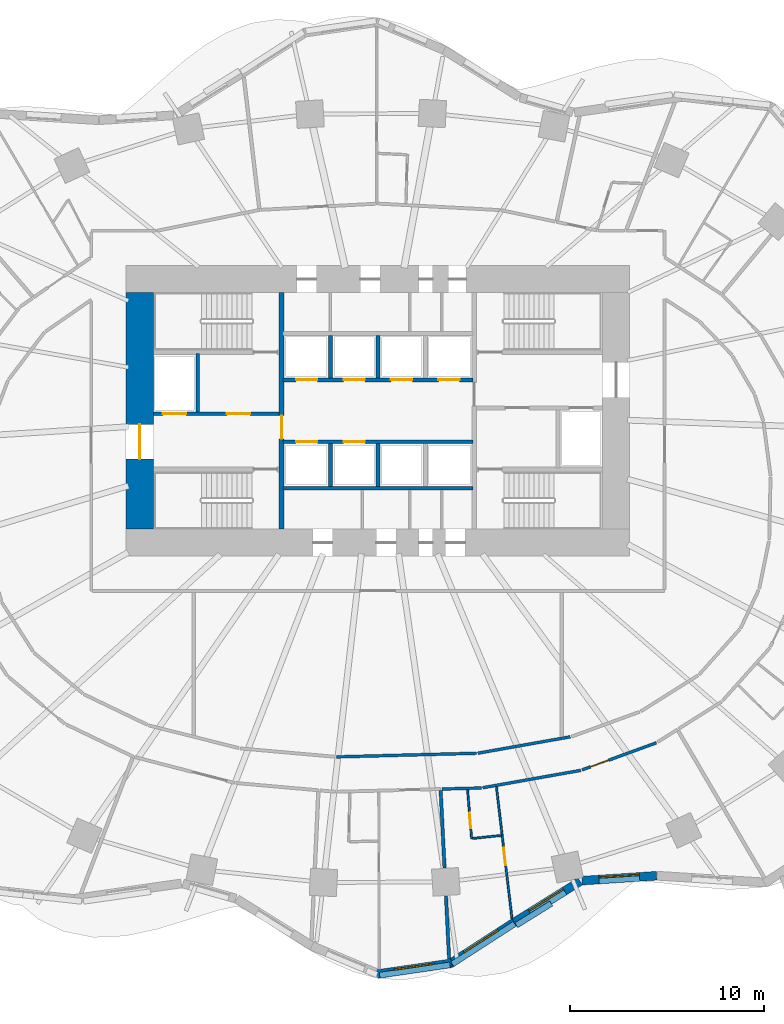
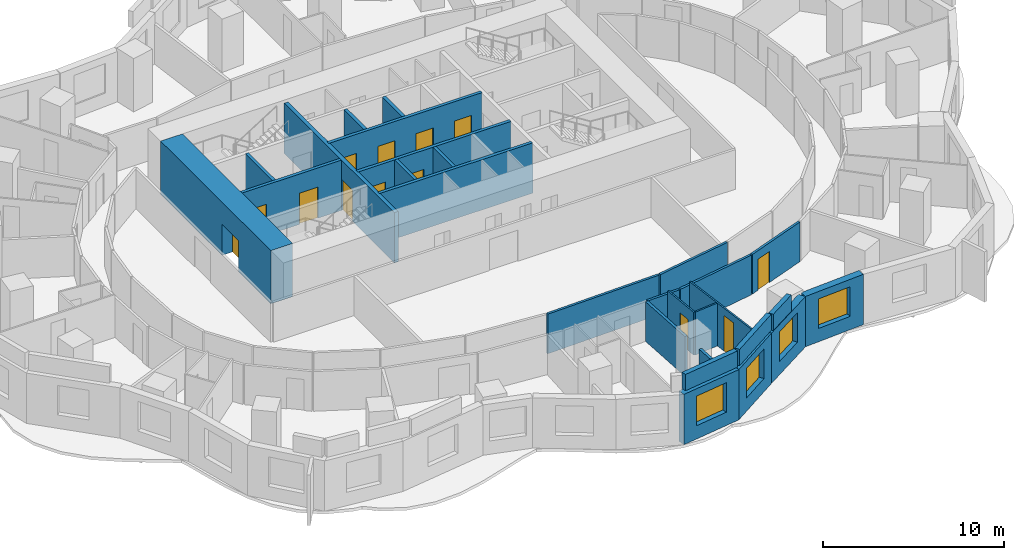
# One storey, part 5 of 11: 28 walls, 13 doors, 4 windows, 17 openings.
"""IFC4 building model written with IfcOpenShell, lengths in metres."""

from ifc_helpers import new_model, si_unit, direction, frame, frame_2d, origin, place, context, subcontext, project, spatial, rectangle, extrude, material, layer, layer_set, type_object, element, fill, save


model = new_model("IFC4")

# Units and contexts
model_context = context("Model", 3, precision=1e-05, world=origin(), true_north=direction((0.0, 1.0)))
body_context = subcontext(model_context, "Body", "Model", "MODEL_VIEW")
ifc_project = project(units=[si_unit("LENGTHUNIT", "METRE"), si_unit("AREAUNIT", "SQUARE_METRE"), si_unit("VOLUMEUNIT", "CUBIC_METRE"), si_unit("PLANEANGLEUNIT", "RADIAN"), si_unit("MASSUNIT", "GRAM", prefix="KILO")], contexts=[model_context])

# Site, building, storey
site_placement = place(None, origin())
site = spatial("IfcSite", under=ifc_project, at=site_placement, CompositionType="ELEMENT")
building_placement = place(site_placement, origin())
building = spatial("IfcBuilding", under=site, at=building_placement, Name="Rubra Terraces Tower", CompositionType="ELEMENT")
storey_placement = place(building_placement, frame((0.0, 0.0, 59.10009765625)))
storey = spatial("IfcBuildingStorey", under=building, at=storey_placement, Name="L12", CompositionType="ELEMENT", Elevation=59.10009765625)

# Walls
ifc_material_1 = material(Name="Twin plasterboard on staggered steel stud, acoustic mineral wool", Category="steel")
ifc_layer_1 = layer(ifc_material_1, 0.175048828125)
ifc_layer_set_1 = layer_set([ifc_layer_1], Name="Twin plasterboard on staggered steel stud, acoustic mineral wool")
wall_type_1 = type_object("IfcWallType", Name="ACOUSTIC PARTY WALL 175", PredefinedType="PARTITIONING", material=ifc_layer_set_1)
wall_1_placement = place(storey_placement, frame((3.67822265625, -23.810302734375, 0.0), z_axis=(0.0, 0.0, 1.0), x_axis=(-0.050406902628, 0.998728764063, 0.0)))
element("IfcWall", 1, at=wall_1_placement, inside=storey, type_object=wall_type_1, Name="PARTITION", PredefinedType="PARTITIONING", context=body_context, shape_type="SweptSolid", body=[
    extrude(rectangle(XDim=3.269287109375, YDim=0.175048828125, at=frame_2d((1.634765625, 0.0))), origin(), (0.0, 0.0, 1.0), 2.679931640625),
])
wall_2_placement = place(storey_placement, frame((3.44091796875, -19.10693359375, 0.0), z_axis=(0.0, 0.0, 1.0), x_axis=(-0.050399621173, 0.998729131539, 0.0)))
element("IfcWall", 2, at=wall_2_placement, inside=storey, type_object=wall_type_1, Name="PARTITION", PredefinedType="PARTITIONING", context=body_context, shape_type="SweptSolid", body=[
    extrude(rectangle(XDim=4.006103515625, YDim=0.175048828125, at=frame_2d((2.0029296875, 0.0))), origin(), (0.0, 0.0, 1.0), 2.679931640625),
])

# Wall, opening, window
ifc_material_2 = material(Name="Brick masonry red-brown", Category="masonry")
ifc_layer_2 = layer(ifc_material_2, 0.449951171875)
ifc_layer_set_2 = layer_set([ifc_layer_2], Name="Brick masonry red-brown")
wall_type_2 = type_object("IfcWallType", Name="Brick facade wall 450", PredefinedType="SOLIDWALL", material=ifc_layer_set_2)
wall_3_placement = place(storey_placement, frame((-0.032470703125, -24.58447265625, 0.0), z_axis=(0.0, 0.0, 1.0), x_axis=(0.989495330387, 0.144564833698, 0.0)))
wall_3 = element("IfcWall", 3, at=wall_3_placement, inside=storey, type_object=wall_type_2, Name="Facade wall L12 bay 31", PredefinedType="SOLIDWALL", context=body_context, shape_type="SweptSolid", body=[
    extrude(rectangle(XDim=3.880859375, YDim=0.449951171875, at=frame_2d((1.9404296875, 0.0))), origin(), (0.0, 0.0, 1.0), 3.39990234375),
])
opening_1_placement = place(wall_3_placement, frame((0.890380859375, 0.0, 0.89990234375)))
opening_1 = element("IfcOpeningElement", 4, at=opening_1_placement, cuts=wall_3, Name="Opening W1", PredefinedType="OPENING", context=body_context, shape_type="SweptSolid", body=[
    extrude(rectangle(XDim=2.10009765625, YDim=2.0, at=frame_2d((1.050048828125, 1.0))), frame((0.0, 0.23486328125, 0.0), z_axis=(0.0, -1.0, 0.0), x_axis=(1.0, 0.0, 0.0)), (0.0, 0.0, 1.0), 0.469970703125),
])
ifc_material_3 = material(Name="Clear glass in aluminium frame", Category="aluminium")
window_type = type_object("IfcWindowType", Name="Fixed deep-set window 2100 x 2000", PartitioningType="SINGLE_PANEL", PredefinedType="WINDOW", material=ifc_material_3)
window_1_placement = place(opening_1_placement, origin())
window_1 = element("IfcWindow", 5, at=window_1_placement, inside=storey, type_object=window_type, Name="Window L12 bay 31", OverallHeight=2.0, OverallWidth=2.10009765625, PartitioningType="SINGLE_PANEL", PredefinedType="WINDOW", context=body_context, shape_type="SweptSolid", body=[
    extrude(rectangle(XDim=2.10009765625, YDim=2.0, at=frame_2d((1.050048828125, 1.0))), frame((0.0, 0.135009765625, 0.0), z_axis=(0.0, -1.0, 0.0), x_axis=(1.0, 0.0, 0.0)), (0.0, 0.0, 1.0), 0.06005859375),
])
fill(opening_1, window_1)

wall_4_placement = place(storey_placement, frame((3.720703125, -24.055419921875, 0.0), z_axis=(0.0, 0.0, 1.0), x_axis=(0.840404438766, 0.54195975801, 0.0)))
wall_4 = element("IfcWall", 6, at=wall_4_placement, inside=storey, type_object=wall_type_2, Name="Facade wall L12 bay 32", PredefinedType="SOLIDWALL", context=body_context, shape_type="SweptSolid", body=[
    extrude(rectangle(XDim=3.960205078125, YDim=0.449951171875, at=frame_2d((1.97998046875, 0.0))), origin(), (0.0, 0.0, 1.0), 3.39990234375),
])
opening_2_placement = place(wall_4_placement, frame((0.929931640625, 0.0, 0.89990234375)))
opening_2 = element("IfcOpeningElement", 7, at=opening_2_placement, cuts=wall_4, Name="Opening W1", PredefinedType="OPENING", context=body_context, shape_type="SweptSolid", body=[
    extrude(rectangle(XDim=2.10009765625, YDim=2.0, at=frame_2d((1.050048828125, 1.0))), frame((0.0, 0.23486328125, 0.0), z_axis=(0.0, -1.0, 0.0), x_axis=(1.0, 0.0, 0.0)), (0.0, 0.0, 1.0), 0.469970703125),
])
window_2_placement = place(opening_2_placement, origin())
window_2 = element("IfcWindow", 8, at=window_2_placement, inside=storey, type_object=window_type, Name="Window L12 bay 32", OverallHeight=2.0, OverallWidth=2.10009765625, PartitioningType="SINGLE_PANEL", PredefinedType="WINDOW", context=body_context, shape_type="SweptSolid", body=[
    extrude(rectangle(XDim=2.10009765625, YDim=2.0, at=frame_2d((1.050048828125, 1.0))), frame((0.0, 0.135009765625, 0.0), z_axis=(0.0, -1.0, 0.0), x_axis=(1.0, 0.0, 0.0)), (0.0, 0.0, 1.0), 0.06005859375),
])
fill(opening_2, window_2)

wall_5_placement = place(storey_placement, frame((7.0517578125, -21.907470703125, 0.0), z_axis=(0.0, 0.0, 1.0), x_axis=(0.848498976054, 0.529197021566, 0.0)))
wall_5 = element("IfcWall", 9, at=wall_5_placement, inside=storey, type_object=wall_type_2, Name="Facade wall L12 bay 33", PredefinedType="SOLIDWALL", context=body_context, shape_type="SweptSolid", body=[
    extrude(rectangle(XDim=3.99658203125, YDim=0.449951171875, at=frame_2d((1.998291015625, 0.0))), origin(), (0.0, 0.0, 1.0), 3.39990234375),
])
opening_3_placement = place(wall_5_placement, frame((0.9482421875, 0.0, 0.89990234375)))
opening_3 = element("IfcOpeningElement", 10, at=opening_3_placement, cuts=wall_5, Name="Opening W1", PredefinedType="OPENING", context=body_context, shape_type="SweptSolid", body=[
    extrude(rectangle(XDim=2.10009765625, YDim=2.0, at=frame_2d((1.050048828125, 1.0))), frame((0.0, 0.23486328125, 0.0), z_axis=(0.0, -1.0, 0.0), x_axis=(1.0, 0.0, 0.0)), (0.0, 0.0, 1.0), 0.469970703125),
])
window_3_placement = place(opening_3_placement, origin())
window_3 = element("IfcWindow", 11, at=window_3_placement, inside=storey, type_object=window_type, Name="Window L12 bay 33", OverallHeight=2.0, OverallWidth=2.10009765625, PartitioningType="SINGLE_PANEL", PredefinedType="WINDOW", context=body_context, shape_type="SweptSolid", body=[
    extrude(rectangle(XDim=2.10009765625, YDim=2.0, at=frame_2d((1.050048828125, 1.0))), frame((0.0, 0.135009765625, 0.0), z_axis=(0.0, -1.0, 0.0), x_axis=(1.0, 0.0, 0.0)), (0.0, 0.0, 1.0), 0.06005859375),
])
fill(opening_3, window_3)

wall_6_placement = place(storey_placement, frame((10.537353515625, -19.76123046875, 0.0), z_axis=(0.0, 0.0, 1.0), x_axis=(0.997831357874, 0.065822346084, 0.0)))
wall_6 = element("IfcWall", 12, at=wall_6_placement, inside=storey, type_object=wall_type_2, Name="Facade wall L12 bay 34", PredefinedType="SOLIDWALL", context=body_context, shape_type="SweptSolid", body=[
    extrude(rectangle(XDim=3.861083984375, YDim=0.449951171875, at=frame_2d((1.9306640625, 0.0))), origin(), (0.0, 0.0, 1.0), 3.39990234375),
])
opening_4_placement = place(wall_6_placement, frame((0.880615234375, 0.0, 0.89990234375)))
opening_4 = element("IfcOpeningElement", 13, at=opening_4_placement, cuts=wall_6, Name="Opening W1", PredefinedType="OPENING", context=body_context, shape_type="SweptSolid", body=[
    extrude(rectangle(XDim=2.10009765625, YDim=2.0, at=frame_2d((1.050048828125, 1.0))), frame((0.0, 0.23486328125, 0.0), z_axis=(0.0, -1.0, 0.0), x_axis=(1.0, 0.0, 0.0)), (0.0, 0.0, 1.0), 0.469970703125),
])
window_4_placement = place(opening_4_placement, origin())
window_4 = element("IfcWindow", 14, at=window_4_placement, inside=storey, type_object=window_type, Name="Window L12 bay 34", OverallHeight=2.0, OverallWidth=2.10009765625, PartitioningType="SINGLE_PANEL", PredefinedType="WINDOW", context=body_context, shape_type="SweptSolid", body=[
    extrude(rectangle(XDim=2.10009765625, YDim=2.0, at=frame_2d((1.050048828125, 1.0))), frame((0.0, 0.135009765625, 0.0), z_axis=(0.0, -1.0, 0.0), x_axis=(1.0, 0.0, 0.0)), (0.0, 0.0, 1.0), 0.06005859375),
])
fill(opening_4, window_4)

# Walls
ifc_layer_3 = layer(ifc_material_2, 0.300048828125)
ifc_layer_set_3 = layer_set([ifc_layer_3], Name="Brick masonry red-brown")
wall_type_3 = type_object("IfcWallType", Name="Brick parapet 300", PredefinedType="PARAPET", material=ifc_layer_set_3)
wall_7_placement = place(storey_placement, frame((0.090576171875, -24.64208984375, 3.599853515625), z_axis=(0.0, 0.0, 1.0), x_axis=(0.989499132051, 0.144538810259, 0.0)))
element("IfcWall", 15, at=wall_7_placement, inside=storey, type_object=wall_type_3, Name="Parapet L12 bay 31", PredefinedType="PARAPET", context=body_context, shape_type="SweptSolid", body=[
    extrude(rectangle(XDim=3.672119140625, YDim=0.300048828125, at=frame_2d((1.8359375, 0.0))), origin(), (0.0, 0.0, 1.0), 1.10009765625),
])
wall_8_placement = place(storey_placement, frame((3.838623046875, -24.068359375, 3.599853515625), z_axis=(0.0, 0.0, 1.0), x_axis=(0.84044157539, 0.541902166776, 0.0)))
element("IfcWall", 16, at=wall_8_placement, inside=storey, type_object=wall_type_3, Name="Parapet L12 bay 32", PredefinedType="PARAPET", context=body_context, shape_type="SweptSolid", body=[
    extrude(rectangle(XDim=3.836181640625, YDim=0.300048828125, at=frame_2d((1.91796875, 0.0))), origin(), (0.0, 0.0, 1.0), 1.10009765625),
])
wall_9_placement = place(storey_placement, frame((7.146240234375, -22.063720703125, 3.599853515625), z_axis=(0.0, 0.0, 1.0), x_axis=(0.848488829337, 0.529213290168, 0.0)))
element("IfcWall", 17, at=wall_9_placement, inside=storey, type_object=wall_type_3, Name="Parapet L12 bay 33", PredefinedType="PARAPET", context=body_context, shape_type="SweptSolid", body=[
    extrude(rectangle(XDim=2.12353515625, YDim=0.300048828125, at=frame_2d((1.061767578125, 0.0))), origin(), (0.0, 0.0, 1.0), 1.10009765625),
])

# Wall, opening, door
ifc_material_4 = material(Name="Concrete C70", Category="concrete")
ifc_layer_4 = layer(ifc_material_4, 1.39990234375)
ifc_layer_set_4 = layer_set([ifc_layer_4], Name="Concrete C70")
wall_type_4 = type_object("IfcWallType", Name="CORE WALL 1400 C70", PredefinedType="SHEAR", material=ifc_layer_set_4)
wall_10_placement = place(storey_placement, frame((-12.300048828125, -1.60009765625, 0.0), z_axis=(0.0, 0.0, 1.0), x_axis=(0.0, 1.0, 0.0)))
wall_10 = element("IfcWall", 18, at=wall_10_placement, inside=storey, type_object=wall_type_4, Name="CORE WALL W L12", PredefinedType="SHEAR", context=body_context, shape_type="SweptSolid", body=[
    extrude(rectangle(XDim=12.2001953125, YDim=1.39990234375, at=frame_2d((6.10009765625, 0.0))), origin(), (0.0, 0.0, 1.0), 3.599853515625),
])
opening_5_placement = place(wall_10_placement, frame((3.60009765625, 0.0, 0.0)))
opening_5 = element("IfcOpeningElement", 19, at=opening_5_placement, cuts=wall_10, Name="Opening L12.C01", PredefinedType="OPENING", context=body_context, shape_type="SweptSolid", body=[
    extrude(rectangle(XDim=1.800048828125, YDim=2.10009765625, at=frame_2d((0.89990234375, 1.050048828125))), frame((0.0, 0.7099609375, 0.0), z_axis=(0.0, -1.0, 0.0), x_axis=(1.0, 0.0, 0.0)), (0.0, 0.0, 1.0), 1.419921875),
])
ifc_material_5 = material(Name="Painted steel", Category="steel")
door_type_1 = type_object("IfcDoorType", Name="Fire door 1800x2100 double", OperationType="NOTDEFINED", PredefinedType="DOOR", material=ifc_material_5)
door_1_placement = place(opening_5_placement, origin())
door_1 = element("IfcDoor", 20, at=door_1_placement, inside=storey, type_object=door_type_1, Name="Core entrance door FF1", OperationType="DOUBLE_DOOR_SINGLE_SWING", OverallHeight=2.10009765625, OverallWidth=1.800048828125, PredefinedType="DOOR", context=body_context, shape_type="SweptSolid", body=[
    extrude(rectangle(XDim=1.800048828125, YDim=2.10009765625, at=frame_2d((0.89990234375, 1.050048828125))), frame((0.0, 0.02490234375, 0.0), z_axis=(0.0, -1.0, 0.0), x_axis=(1.0, 0.0, 0.0)), (0.0, 0.0, 1.0), 0.050048828125),
])
fill(opening_5, door_1)

# Walls
ifc_material_6 = material(Name="Plasterboard on steel stud, mineral wool infill", Category="steel")
ifc_layer_5 = layer(ifc_material_6, 0.14990234375)
ifc_layer_set_5 = layer_set([ifc_layer_5], Name="Plasterboard on steel stud, mineral wool infill")
wall_type_5 = type_object("IfcWallType", Name="CORRIDOR PARTITION 150", PredefinedType="PARTITIONING", material=ifc_layer_set_5)
wall_11_placement = place(storey_placement, frame((3.310302734375, -15.029052734375, 0.0), z_axis=(0.0, 0.0, 1.0), x_axis=(0.99966219628, 0.025990254501, 0.0)))
element("IfcWall", 21, at=wall_11_placement, inside=storey, type_object=wall_type_5, Name="PARTITION", PredefinedType="PARTITIONING", context=body_context, shape_type="SweptSolid", body=[
    extrude(rectangle(XDim=2.029052734375, YDim=0.14990234375, at=frame_2d((1.0146484375, 0.0))), origin(), (0.0, 0.0, 1.0), 2.679931640625),
])
wall_12_placement = place(storey_placement, frame((5.41259765625, -14.963134765625, 0.0), z_axis=(0.0, 0.0, 1.0), x_axis=(0.984633017555, 0.174636252655, 0.0)))
element("IfcWall", 22, at=wall_12_placement, inside=storey, type_object=wall_type_5, Name="PARTITION", PredefinedType="PARTITIONING", context=body_context, shape_type="SweptSolid", body=[
    extrude(rectangle(XDim=5.138916015625, YDim=0.14990234375, at=frame_2d((2.5693359375, 0.0))), origin(), (0.0, 0.0, 1.0), 2.679931640625),
])

# Wall, opening, door
wall_13_placement = place(storey_placement, frame((10.543212890625, -14.0400390625, 0.0), z_axis=(0.0, 0.0, 1.0), x_axis=(0.939576705301, 0.342338450741, 0.0)))
wall_13 = element("IfcWall", 23, at=wall_13_placement, inside=storey, type_object=wall_type_5, Name="PARTITION", PredefinedType="PARTITIONING", context=body_context, shape_type="SweptSolid", body=[
    extrude(rectangle(XDim=4.08203125, YDim=0.14990234375, at=frame_2d((2.041015625, 0.0))), origin(), (0.0, 0.0, 1.0), 2.679931640625),
])
opening_6_placement = place(wall_13_placement, frame((0.449951171875, 0.0, 0.0)))
opening_6 = element("IfcOpeningElement", 24, at=opening_6_placement, cuts=wall_13, Name="Opening 12-119", PredefinedType="OPENING", context=body_context, shape_type="SweptSolid", body=[
    extrude(rectangle(XDim=1.0, YDim=2.10009765625, at=frame_2d((0.5, 1.050048828125))), frame((0.0, 0.0849609375, 0.0), z_axis=(0.0, -1.0, 0.0), x_axis=(1.0, 0.0, 0.0)), (0.0, 0.0, 1.0), 0.169921875),
])
ifc_material_7 = material(Name="Painted timber door leaf", Category="wood")
door_type_2 = type_object("IfcDoorType", Name="ROOM DOOR 1000 X 2100", OperationType="SINGLE_SWING_LEFT", PredefinedType="DOOR", material=ifc_material_7)
door_2_placement = place(opening_6_placement, origin())
door_2 = element("IfcDoor", 25, at=door_2_placement, inside=storey, type_object=door_type_2, Name="DOOR 12-119", OperationType="SINGLE_SWING_RIGHT", OverallHeight=2.10009765625, OverallWidth=1.0, PredefinedType="DOOR", context=body_context, shape_type="SweptSolid", body=[
    extrude(rectangle(XDim=1.0, YDim=2.10009765625, at=frame_2d((0.5, 1.050048828125))), frame((0.0, 0.02490234375, 0.0), z_axis=(0.0, -1.0, 0.0), x_axis=(1.0, 0.0, 0.0)), (0.0, 0.0, 1.0), 0.050048828125),
])
fill(opening_6, door_2)

# Walls
wall_14_placement = place(storey_placement, frame((9.93017578125, -12.333984375, 0.0), z_axis=(0.0, 0.0, 1.0), x_axis=(-0.984638212434, -0.174606960386, 0.0)))
element("IfcWall", 26, at=wall_14_placement, inside=storey, type_object=wall_type_5, Name="PARTITION", PredefinedType="PARTITIONING", context=body_context, shape_type="SweptSolid", body=[
    extrude(rectangle(XDim=4.84765625, YDim=0.14990234375, at=frame_2d((2.423828125, 0.0))), origin(), (0.0, 0.0, 1.0), 2.679931640625),
])
wall_15_placement = place(storey_placement, frame((5.08203125, -13.182373046875, 0.0), z_axis=(0.0, 0.0, 1.0), x_axis=(-0.999661624383, -0.026012242045, 0.0)))
element("IfcWall", 27, at=wall_15_placement, inside=storey, type_object=wall_type_5, Name="PARTITION", PredefinedType="PARTITIONING", context=body_context, shape_type="SweptSolid", body=[
    extrude(rectangle(XDim=7.217529296875, YDim=0.14990234375, at=frame_2d((3.60888671875, 0.0))), origin(), (0.0, 0.0, 1.0), 2.679931640625),
])

# Wall, openings, doors
ifc_material_8 = material(Name="Concrete C30", Category="concrete")
ifc_layer_6 = layer(ifc_material_8, 0.199951171875)
ifc_layer_set_6 = layer_set([ifc_layer_6], Name="Concrete C30")
wall_type_6 = type_object("IfcWallType", Name="Core wall 200 concrete", PredefinedType="SOLIDWALL", material=ifc_layer_set_6)
wall_16_placement = place(storey_placement, frame((-11.60009765625, 4.35009765625, 0.0), z_axis=(0.0, 0.0, 1.0), x_axis=(1.0, 0.0, 0.0)))
wall_16 = element("IfcWall", 28, at=wall_16_placement, inside=storey, type_object=wall_type_6, Name="STAIR WALL L12", PredefinedType="SOLIDWALL", context=body_context, shape_type="SweptSolid", body=[
    extrude(rectangle(XDim=6.5, YDim=0.199951171875, at=frame_2d((3.25, 0.0))), origin(), (0.0, 0.0, 1.0), 3.39990234375),
])
opening_7_placement = place(wall_16_placement, frame((3.800048828125, 0.0, 0.0)))
opening_7 = element("IfcOpeningElement", 29, at=opening_7_placement, cuts=wall_16, Name="Opening L12.C05", PredefinedType="OPENING", context=body_context, shape_type="SweptSolid", body=[
    extrude(rectangle(XDim=1.199951171875, YDim=2.10009765625, at=frame_2d((0.60009765625, 1.050048828125))), frame((0.0, 0.10986328125, 0.0), z_axis=(0.0, -1.0, 0.0), x_axis=(1.0, 0.0, 0.0)), (0.0, 0.0, 1.0), 0.219970703125),
])
opening_8_placement = place(wall_16_placement, frame((0.5, 0.0, 0.0)))
opening_8 = element("IfcOpeningElement", 30, at=opening_8_placement, cuts=wall_16, Name="Opening L12.C11", PredefinedType="OPENING", context=body_context, shape_type="SweptSolid", body=[
    extrude(rectangle(XDim=1.199951171875, YDim=2.10009765625, at=frame_2d((0.60009765625, 1.050048828125))), frame((0.0, 0.10986328125, 0.0), z_axis=(0.0, -1.0, 0.0), x_axis=(1.0, 0.0, 0.0)), (0.0, 0.0, 1.0), 0.219970703125),
])
door_type_3 = type_object("IfcDoorType", Name="Fire door 1200x2100 single", OperationType="NOTDEFINED", PredefinedType="DOOR", material=ifc_material_5)
door_3_placement = place(opening_7_placement, origin())
door_3 = element("IfcDoor", 31, at=door_3_placement, inside=storey, type_object=door_type_3, Name="Stair vestibule door S2", OperationType="SINGLE_SWING_LEFT", OverallHeight=2.10009765625, OverallWidth=1.199951171875, PredefinedType="DOOR", context=body_context, shape_type="SweptSolid", body=[
    extrude(rectangle(XDim=1.199951171875, YDim=2.10009765625, at=frame_2d((0.60009765625, 1.050048828125))), frame((0.0, 0.02490234375, 0.0), z_axis=(0.0, -1.0, 0.0), x_axis=(1.0, 0.0, 0.0)), (0.0, 0.0, 1.0), 0.050048828125),
])
fill(opening_7, door_3)
ifc_material_9 = material(Name="Stainless steel", Category="steel")
door_type_4 = type_object("IfcDoorType", Name="Lift landing door 1200x2100", OperationType="NOTDEFINED", PredefinedType="DOOR", material=ifc_material_9)
door_4_placement = place(opening_8_placement, origin())
door_4 = element("IfcDoor", 32, at=door_4_placement, inside=storey, type_object=door_type_4, Name="Landing door FF1", OperationType="SLIDING_TO_RIGHT", OverallHeight=2.10009765625, OverallWidth=1.199951171875, PredefinedType="DOOR", context=body_context, shape_type="SweptSolid", body=[
    extrude(rectangle(XDim=1.199951171875, YDim=2.10009765625, at=frame_2d((0.60009765625, 1.050048828125))), frame((0.0, 0.02490234375, 0.0), z_axis=(0.0, -1.0, 0.0), x_axis=(1.0, 0.0, 0.0)), (0.0, 0.0, 1.0), 0.050048828125),
])
fill(opening_8, door_4)

# Walls
wall_17_placement = place(storey_placement, frame((-9.300048828125, 4.449951171875, 0.0), z_axis=(0.0, 0.0, 1.0), x_axis=(0.0, 1.0, 0.0)))
element("IfcWall", 33, at=wall_17_placement, inside=storey, type_object=wall_type_6, Name="STAIR WALL L12", PredefinedType="SOLIDWALL", context=body_context, shape_type="SweptSolid", body=[
    extrude(rectangle(XDim=3.0, YDim=0.199951171875, at=frame_2d((1.5, 0.0))), origin(), (0.0, 0.0, 1.0), 3.39990234375),
])
wall_18_placement = place(storey_placement, frame((-4.89990234375, 0.5, 0.0), z_axis=(0.0, 0.0, 1.0), x_axis=(1.0, 0.0, 0.0)))
element("IfcWall", 34, at=wall_18_placement, inside=storey, type_object=wall_type_6, Name="LIFT SHAFT WALL L12", PredefinedType="SOLIDWALL", context=body_context, shape_type="SweptSolid", body=[
    extrude(rectangle(XDim=9.7998046875, YDim=0.199951171875, at=frame_2d((4.89990234375, 0.0))), origin(), (0.0, 0.0, 1.0), 3.39990234375),
])

# Wall, openings, doors
wall_19_placement = place(storey_placement, frame((-4.89990234375, 2.89990234375, 0.0), z_axis=(0.0, 0.0, 1.0), x_axis=(1.0, 0.0, 0.0)))
wall_19 = element("IfcWall", 35, at=wall_19_placement, inside=storey, type_object=wall_type_6, Name="LIFT SHAFT WALL L12", PredefinedType="SOLIDWALL", context=body_context, shape_type="SweptSolid", body=[
    extrude(rectangle(XDim=9.7998046875, YDim=0.199951171875, at=frame_2d((4.89990234375, 0.0))), origin(), (0.0, 0.0, 1.0), 3.39990234375),
])
opening_9_placement = place(wall_19_placement, frame((0.675048828125, 0.0, 0.0)))
opening_9 = element("IfcOpeningElement", 36, at=opening_9_placement, cuts=wall_19, Name="Opening L12.C13", PredefinedType="OPENING", context=body_context, shape_type="SweptSolid", body=[
    extrude(rectangle(XDim=1.10009765625, YDim=2.10009765625, at=frame_2d((0.550048828125, 1.050048828125))), frame((0.0, 0.10986328125, 0.0), z_axis=(0.0, -1.0, 0.0), x_axis=(1.0, 0.0, 0.0)), (0.0, 0.0, 1.0), 0.219970703125),
])
opening_10_placement = place(wall_19_placement, frame((3.125, 0.0, 0.0)))
opening_10 = element("IfcOpeningElement", 37, at=opening_10_placement, cuts=wall_19, Name="Opening L12.C14", PredefinedType="OPENING", context=body_context, shape_type="SweptSolid", body=[
    extrude(rectangle(XDim=1.10009765625, YDim=2.10009765625, at=frame_2d((0.550048828125, 1.050048828125))), frame((0.0, 0.10986328125, 0.0), z_axis=(0.0, -1.0, 0.0), x_axis=(1.0, 0.0, 0.0)), (0.0, 0.0, 1.0), 0.219970703125),
])
door_type_5 = type_object("IfcDoorType", Name="Lift landing door 1100x2100", OperationType="NOTDEFINED", PredefinedType="DOOR", material=ifc_material_9)
door_5_placement = place(opening_9_placement, origin())
door_5 = element("IfcDoor", 38, at=door_5_placement, inside=storey, type_object=door_type_5, Name="Landing door LB1", OperationType="SLIDING_TO_RIGHT", OverallHeight=2.10009765625, OverallWidth=1.10009765625, PredefinedType="DOOR", context=body_context, shape_type="SweptSolid", body=[
    extrude(rectangle(XDim=1.10009765625, YDim=2.10009765625, at=frame_2d((0.550048828125, 1.050048828125))), frame((0.0, 0.02490234375, 0.0), z_axis=(0.0, -1.0, 0.0), x_axis=(1.0, 0.0, 0.0)), (0.0, 0.0, 1.0), 0.050048828125),
])
fill(opening_9, door_5)
door_6_placement = place(opening_10_placement, origin())
door_6 = element("IfcDoor", 39, at=door_6_placement, inside=storey, type_object=door_type_5, Name="Landing door LB2", OperationType="SLIDING_TO_LEFT", OverallHeight=2.10009765625, OverallWidth=1.10009765625, PredefinedType="DOOR", context=body_context, shape_type="SweptSolid", body=[
    extrude(rectangle(XDim=1.10009765625, YDim=2.10009765625, at=frame_2d((0.550048828125, 1.050048828125))), frame((0.0, 0.02490234375, 0.0), z_axis=(0.0, -1.0, 0.0), x_axis=(1.0, 0.0, 0.0)), (0.0, 0.0, 1.0), 0.050048828125),
])
fill(opening_10, door_6)

wall_20_placement = place(storey_placement, frame((-4.89990234375, 6.10009765625, 0.0), z_axis=(0.0, 0.0, 1.0), x_axis=(1.0, 0.0, 0.0)))
wall_20 = element("IfcWall", 40, at=wall_20_placement, inside=storey, type_object=wall_type_6, Name="LIFT SHAFT WALL L12", PredefinedType="SOLIDWALL", context=body_context, shape_type="SweptSolid", body=[
    extrude(rectangle(XDim=9.7998046875, YDim=0.199951171875, at=frame_2d((4.89990234375, 0.0))), origin(), (0.0, 0.0, 1.0), 3.39990234375),
])
opening_11_placement = place(wall_20_placement, frame((0.675048828125, 0.0, 0.0)))
opening_11 = element("IfcOpeningElement", 41, at=opening_11_placement, cuts=wall_20, Name="Opening L12.C15", PredefinedType="OPENING", context=body_context, shape_type="SweptSolid", body=[
    extrude(rectangle(XDim=1.10009765625, YDim=2.10009765625, at=frame_2d((0.550048828125, 1.050048828125))), frame((0.0, 0.10986328125, 0.0), z_axis=(0.0, -1.0, 0.0), x_axis=(1.0, 0.0, 0.0)), (0.0, 0.0, 1.0), 0.219970703125),
])
opening_12_placement = place(wall_20_placement, frame((3.125, 0.0, 0.0)))
opening_12 = element("IfcOpeningElement", 42, at=opening_12_placement, cuts=wall_20, Name="Opening L12.C16", PredefinedType="OPENING", context=body_context, shape_type="SweptSolid", body=[
    extrude(rectangle(XDim=1.10009765625, YDim=2.10009765625, at=frame_2d((0.550048828125, 1.050048828125))), frame((0.0, 0.10986328125, 0.0), z_axis=(0.0, -1.0, 0.0), x_axis=(1.0, 0.0, 0.0)), (0.0, 0.0, 1.0), 0.219970703125),
])
opening_13_placement = place(wall_20_placement, frame((5.574951171875, 0.0, 0.0)))
opening_13 = element("IfcOpeningElement", 43, at=opening_13_placement, cuts=wall_20, Name="Opening L12.C17", PredefinedType="OPENING", context=body_context, shape_type="SweptSolid", body=[
    extrude(rectangle(XDim=1.10009765625, YDim=2.10009765625, at=frame_2d((0.550048828125, 1.050048828125))), frame((0.0, 0.10986328125, 0.0), z_axis=(0.0, -1.0, 0.0), x_axis=(1.0, 0.0, 0.0)), (0.0, 0.0, 1.0), 0.219970703125),
])
opening_14_placement = place(wall_20_placement, frame((8.02490234375, 0.0, 0.0)))
opening_14 = element("IfcOpeningElement", 44, at=opening_14_placement, cuts=wall_20, Name="Opening L12.C18", PredefinedType="OPENING", context=body_context, shape_type="SweptSolid", body=[
    extrude(rectangle(XDim=1.10009765625, YDim=2.10009765625, at=frame_2d((0.550048828125, 1.050048828125))), frame((0.0, 0.10986328125, 0.0), z_axis=(0.0, -1.0, 0.0), x_axis=(1.0, 0.0, 0.0)), (0.0, 0.0, 1.0), 0.219970703125),
])
door_7_placement = place(opening_11_placement, origin())
door_7 = element("IfcDoor", 45, at=door_7_placement, inside=storey, type_object=door_type_5, Name="Landing door LB3", OperationType="SLIDING_TO_RIGHT", OverallHeight=2.10009765625, OverallWidth=1.10009765625, PredefinedType="DOOR", context=body_context, shape_type="SweptSolid", body=[
    extrude(rectangle(XDim=1.10009765625, YDim=2.10009765625, at=frame_2d((0.550048828125, 1.050048828125))), frame((0.0, 0.02490234375, 0.0), z_axis=(0.0, -1.0, 0.0), x_axis=(1.0, 0.0, 0.0)), (0.0, 0.0, 1.0), 0.050048828125),
])
fill(opening_11, door_7)
door_8_placement = place(opening_12_placement, origin())
door_8 = element("IfcDoor", 46, at=door_8_placement, inside=storey, type_object=door_type_5, Name="Landing door LB4", OperationType="SLIDING_TO_LEFT", OverallHeight=2.10009765625, OverallWidth=1.10009765625, PredefinedType="DOOR", context=body_context, shape_type="SweptSolid", body=[
    extrude(rectangle(XDim=1.10009765625, YDim=2.10009765625, at=frame_2d((0.550048828125, 1.050048828125))), frame((0.0, 0.02490234375, 0.0), z_axis=(0.0, -1.0, 0.0), x_axis=(1.0, 0.0, 0.0)), (0.0, 0.0, 1.0), 0.050048828125),
])
fill(opening_12, door_8)
door_9_placement = place(opening_13_placement, origin())
door_9 = element("IfcDoor", 47, at=door_9_placement, inside=storey, type_object=door_type_5, Name="Landing door LB5", OperationType="SLIDING_TO_RIGHT", OverallHeight=2.10009765625, OverallWidth=1.10009765625, PredefinedType="DOOR", context=body_context, shape_type="SweptSolid", body=[
    extrude(rectangle(XDim=1.10009765625, YDim=2.10009765625, at=frame_2d((0.550048828125, 1.050048828125))), frame((0.0, 0.02490234375, 0.0), z_axis=(0.0, -1.0, 0.0), x_axis=(1.0, 0.0, 0.0)), (0.0, 0.0, 1.0), 0.050048828125),
])
fill(opening_13, door_9)
door_10_placement = place(opening_14_placement, origin())
door_10 = element("IfcDoor", 48, at=door_10_placement, inside=storey, type_object=door_type_5, Name="Landing door LB6", OperationType="SLIDING_TO_LEFT", OverallHeight=2.10009765625, OverallWidth=1.10009765625, PredefinedType="DOOR", context=body_context, shape_type="SweptSolid", body=[
    extrude(rectangle(XDim=1.10009765625, YDim=2.10009765625, at=frame_2d((0.550048828125, 1.050048828125))), frame((0.0, 0.02490234375, 0.0), z_axis=(0.0, -1.0, 0.0), x_axis=(1.0, 0.0, 0.0)), (0.0, 0.0, 1.0), 0.050048828125),
])
fill(opening_14, door_10)

# Walls
for number, where, z_axis, x_axis, name in (
    (49, (-2.449951171875, 0.60009765625, 0.0), (0.0, 0.0, 1.0), (0.0, 1.0, 0.0), "LIFT SHAFT WALL L12"),
    (50, (0.0, 0.60009765625, 0.0), (0.0, 0.0, 1.0), (0.0, 1.0, 0.0), "LIFT SHAFT WALL L12"),
    (51, (-2.449951171875, 6.199951171875, 0.0), (0.0, 0.0, 1.0), (0.0, 1.0, 0.0), "LIFT SHAFT WALL L12"),
    (52, (0.0, 6.199951171875, 0.0), (0.0, 0.0, 1.0), (0.0, 1.0, 0.0), "LIFT SHAFT WALL L12"),
):
    element("IfcWall", number, at=place(storey_placement, frame(where, z_axis=z_axis, x_axis=x_axis)), inside=storey, type_object=wall_type_6, Name=name, PredefinedType="SOLIDWALL", context=body_context, shape_type="SweptSolid", body=[
        extrude(rectangle(XDim=2.199951171875, YDim=0.199951171875, at=frame_2d((1.10009765625, 0.0))), origin(), (0.0, 0.0, 1.0), 3.39990234375),
    ])

# Wall, opening, door
ifc_material_10 = material(Name="Plasterboard on steel stud", Category="steel")
ifc_layer_7 = layer(ifc_material_10, 0.10009765625)
ifc_layer_set_7 = layer_set([ifc_layer_7], Name="Plasterboard on steel stud")
wall_type_7 = type_object("IfcWallType", Name="ROOM PARTITION 100", PredefinedType="PARTITIONING", material=ifc_layer_set_7)
wall_21_placement = place(storey_placement, frame((6.922607421875, -21.71826171875, 0.0), z_axis=(0.0, 0.0, 1.0), x_axis=(-0.117159623324, 0.993113096612, 0.0)))
wall_21 = element("IfcWall", 53, at=wall_21_placement, inside=storey, type_object=wall_type_7, Name="PARTITION", PredefinedType="PARTITIONING", context=body_context, shape_type="SweptSolid", body=[
    extrude(rectangle(XDim=6.8515625, YDim=0.10009765625, at=frame_2d((3.42578125, 0.0))), origin(), (0.0, 0.0, 1.0), 2.89794921875),
])
opening_15_placement = place(wall_21_placement, frame((2.777099609375, 0.0, 0.0)))
opening_15 = element("IfcOpeningElement", 54, at=opening_15_placement, cuts=wall_21, Name="Opening 12-118", PredefinedType="OPENING", context=body_context, shape_type="SweptSolid", body=[
    extrude(rectangle(XDim=0.89990234375, YDim=2.39990234375, at=frame_2d((0.449951171875, 1.199951171875))), frame((0.0, 0.06005859375, 0.0), z_axis=(0.0, -1.0, 0.0), x_axis=(1.0, 0.0, 0.0)), (0.0, 0.0, 1.0), 0.1201171875),
])
ifc_material_11 = material(Name="Veneered timber door leaf, fire-rated", Category="wood")
door_type_6 = type_object("IfcDoorType", Name="SUITE ENTRANCE DOOR 900 X 2400", OperationType="SINGLE_SWING_LEFT", PredefinedType="DOOR", material=ifc_material_11)
door_11_placement = place(opening_15_placement, origin())
door_11 = element("IfcDoor", 55, at=door_11_placement, inside=storey, type_object=door_type_6, Name="DOOR 12-118", OperationType="SINGLE_SWING_LEFT", OverallHeight=2.39990234375, OverallWidth=0.89990234375, PredefinedType="DOOR", context=body_context, shape_type="SweptSolid", body=[
    extrude(rectangle(XDim=0.89990234375, YDim=2.39990234375, at=frame_2d((0.449951171875, 1.199951171875))), frame((0.0, 0.02490234375, 0.0), z_axis=(0.0, -1.0, 0.0), x_axis=(1.0, 0.0, 0.0)), (0.0, 0.0, 1.0), 0.050048828125),
])
fill(opening_15, door_11)

wall_22_placement = place(storey_placement, frame((4.629638671875, -15.069580078125, 0.0), z_axis=(0.0, 0.0, 1.0), x_axis=(0.08247732406, -0.996592941484, 0.0)))
wall_22 = element("IfcWall", 56, at=wall_22_placement, inside=storey, type_object=wall_type_7, Name="PARTITION", PredefinedType="PARTITIONING", context=body_context, shape_type="SweptSolid", body=[
    extrude(rectangle(XDim=2.52490234375, YDim=0.10009765625, at=frame_2d((1.262451171875, 0.0))), origin(), (0.0, 0.0, 1.0), 2.89794921875),
])
opening_16_placement = place(wall_22_placement, frame((1.199951171875, 0.0, 0.0)))
opening_16 = element("IfcOpeningElement", 57, at=opening_16_placement, cuts=wall_22, Name="Opening 12-117", PredefinedType="OPENING", context=body_context, shape_type="SweptSolid", body=[
    extrude(rectangle(XDim=0.800048828125, YDim=2.10009765625, at=frame_2d((0.39990234375, 1.050048828125))), frame((0.0, 0.06005859375, 0.0), z_axis=(0.0, -1.0, 0.0), x_axis=(1.0, 0.0, 0.0)), (0.0, 0.0, 1.0), 0.1201171875),
])
door_type_7 = type_object("IfcDoorType", Name="BATHROOM DOOR 800 X 2100", OperationType="SINGLE_SWING_LEFT", PredefinedType="DOOR", material=ifc_material_7)
door_12_placement = place(opening_16_placement, origin())
door_12 = element("IfcDoor", 58, at=door_12_placement, inside=storey, type_object=door_type_7, Name="DOOR 12-117", OperationType="SINGLE_SWING_LEFT", OverallHeight=2.10009765625, OverallWidth=0.800048828125, PredefinedType="DOOR", context=body_context, shape_type="SweptSolid", body=[
    extrude(rectangle(XDim=0.800048828125, YDim=2.10009765625, at=frame_2d((0.39990234375, 1.050048828125))), frame((0.0, 0.02490234375, 0.0), z_axis=(0.0, -1.0, 0.0), x_axis=(1.0, 0.0, 0.0)), (0.0, 0.0, 1.0), 0.050048828125),
])
fill(opening_16, door_12)

# Wall
wall_23_placement = place(storey_placement, frame((4.8876953125, -17.580810546875, 0.0), z_axis=(0.0, 0.0, 1.0), x_axis=(0.994596876319, 0.103812588907, 0.0)))
element("IfcWall", 59, at=wall_23_placement, inside=storey, type_object=wall_type_7, Name="PARTITION", PredefinedType="PARTITIONING", context=body_context, shape_type="SweptSolid", body=[
    extrude(rectangle(XDim=1.486328125, YDim=0.10009765625, at=frame_2d((0.7431640625, 0.0))), origin(), (0.0, 0.0, 1.0), 2.89794921875),
])

# Wall, opening, door
ifc_material_12 = material(Name="Concrete C40", Category="concrete")
ifc_layer_8 = layer(ifc_material_12, 0.25)
ifc_layer_set_8 = layer_set([ifc_layer_8], Name="Concrete C40")
wall_type_8 = type_object("IfcWallType", Name="Stair enclosure wall 250 concrete", PredefinedType="SOLIDWALL", material=ifc_layer_set_8)
wall_24_placement = place(storey_placement, frame((-4.97509765625, -1.60009765625, 0.0), z_axis=(0.0, 0.0, 1.0), x_axis=(0.0, 1.0, 0.0)))
wall_24 = element("IfcWall", 60, at=wall_24_placement, inside=storey, type_object=wall_type_8, Name="CORE LOBBY WALL L12", PredefinedType="SOLIDWALL", context=body_context, shape_type="SweptSolid", body=[
    extrude(rectangle(XDim=12.2001953125, YDim=0.25, at=frame_2d((6.10009765625, 0.0))), origin(), (0.0, 0.0, 1.0), 3.39990234375),
])
opening_17_placement = place(wall_24_placement, frame((4.64990234375, 0.0, 0.0)))
opening_17 = element("IfcOpeningElement", 61, at=opening_17_placement, cuts=wall_24, Name="Opening L12.C03", PredefinedType="OPENING", context=body_context, shape_type="SweptSolid", body=[
    extrude(rectangle(XDim=1.199951171875, YDim=2.10009765625, at=frame_2d((0.60009765625, 1.050048828125))), frame((0.0, 0.135009765625, 0.0), z_axis=(0.0, -1.0, 0.0), x_axis=(1.0, 0.0, 0.0)), (0.0, 0.0, 1.0), 0.27001953125),
])
door_13_placement = place(opening_17_placement, origin())
door_13 = element("IfcDoor", 62, at=door_13_placement, inside=storey, type_object=door_type_3, Name="Firefighting lobby door FF1", OperationType="SINGLE_SWING_LEFT", OverallHeight=2.10009765625, OverallWidth=1.199951171875, PredefinedType="DOOR", context=body_context, shape_type="SweptSolid", body=[
    extrude(rectangle(XDim=1.199951171875, YDim=2.10009765625, at=frame_2d((0.60009765625, 1.050048828125))), frame((0.0, 0.02490234375, 0.0), z_axis=(0.0, -1.0, 0.0), x_axis=(1.0, 0.0, 0.0)), (0.0, 0.0, 1.0), 0.050048828125),
])
fill(opening_17, door_13)

save(model, "model.ifc")
